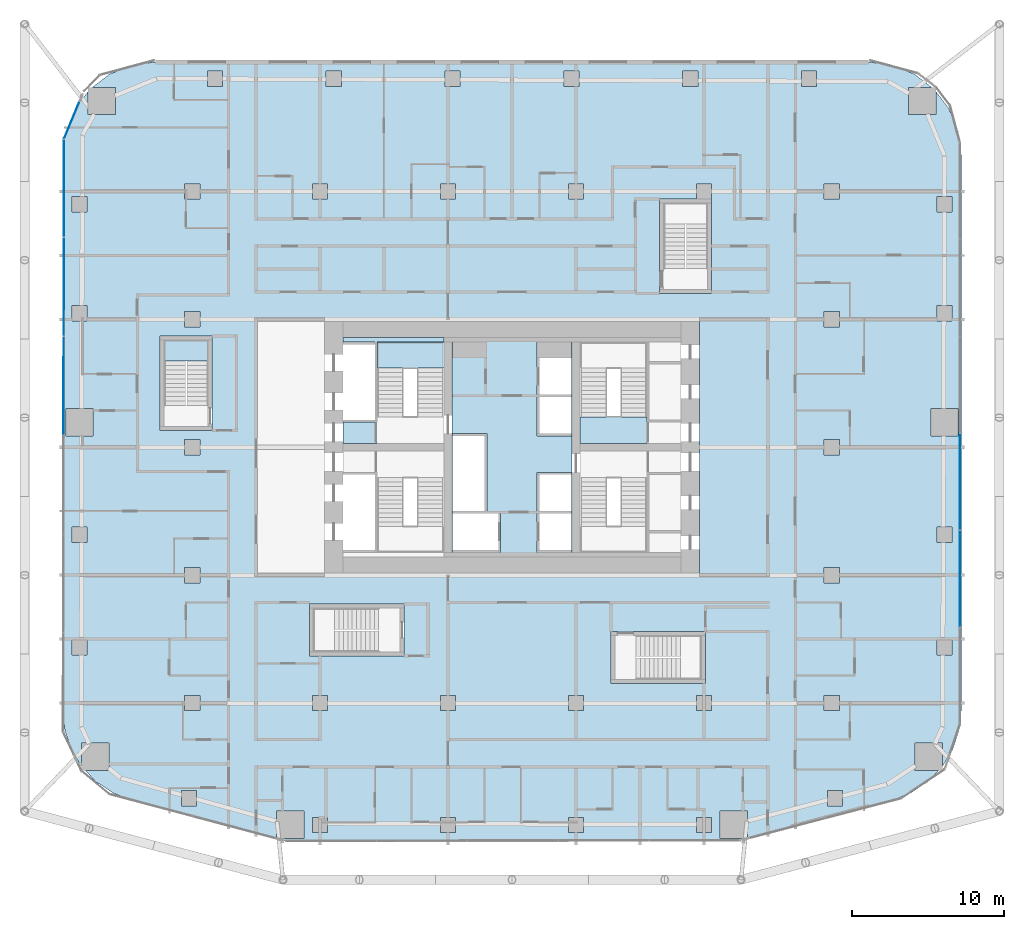
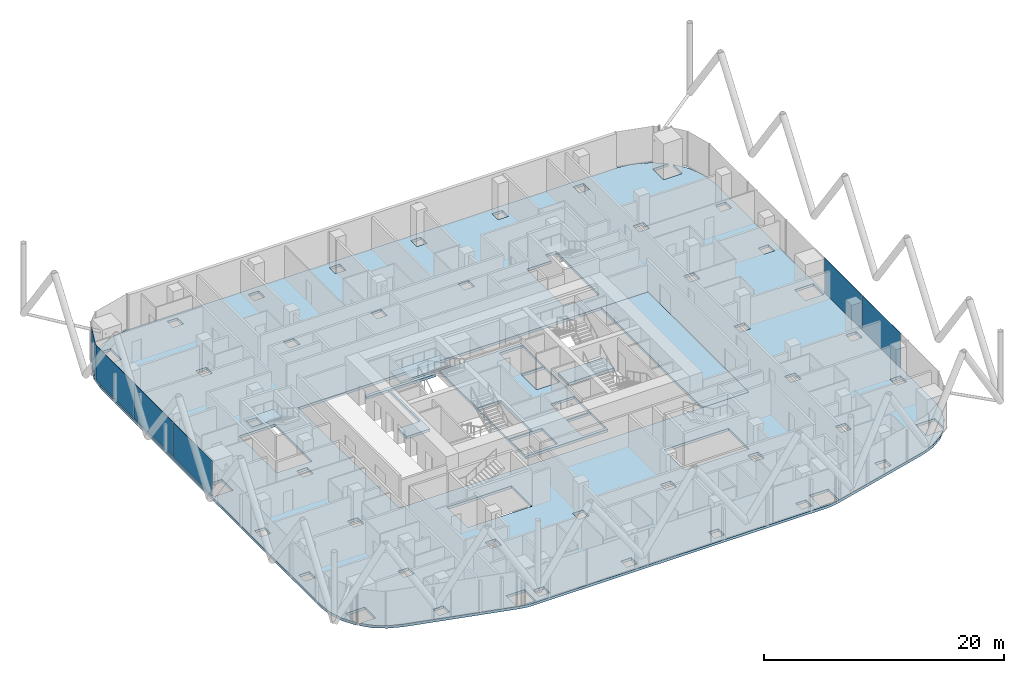
# One storey, part 21 of 34: 7 slabs, 6 plates, 5 elements without a shape of their own.
"""IFC4 building model written with IfcOpenShell, lengths in metres."""

from ifc_helpers import new_model, si_unit, direction, frame, origin, origin_2d, place, context, subcontext, project, spatial, polyline, rectangle, outline, extrude, material, layer, layer_set, type_object, element, aggregate, save


model = new_model("IFC4")

# Units and contexts
model_context = context("Model", 3, precision=1e-05, world=origin(), true_north=direction((0.0, 1.0)))
body_context = subcontext(model_context, "Body", "Model", "MODEL_VIEW")
ifc_project = project(units=[si_unit("LENGTHUNIT", "METRE"), si_unit("AREAUNIT", "SQUARE_METRE"), si_unit("VOLUMEUNIT", "CUBIC_METRE"), si_unit("PLANEANGLEUNIT", "RADIAN"), si_unit("MASSUNIT", "GRAM", prefix="KILO")], contexts=[model_context])

# Site, building, storey
site_placement = place(None, origin())
site = spatial("IfcSite", under=ifc_project, at=site_placement, CompositionType="ELEMENT")
building_placement = place(site_placement, origin())
building = spatial("IfcBuilding", under=site, at=building_placement, Name="Marenta Gate Hotel Tower", CompositionType="ELEMENT")
storey_placement = place(building_placement, frame((0.0, 0.0, 76.10009765625)))
storey = spatial("IfcBuildingStorey", under=building, at=storey_placement, Name="L17", CompositionType="ELEMENT", Elevation=76.10009765625)

# Slabs
ifc_material_1 = material(Name="Concrete C35", Category="concrete")
ifc_layer_1 = layer(ifc_material_1, 0.260009765625)
ifc_layer_set_1 = layer_set([ifc_layer_1], Name="Concrete C35")
slab_type_1 = type_object("IfcSlabType", Name="Concrete floor slab 260", PredefinedType="FLOOR", material=ifc_layer_set_1)
slab_1_placement = place(storey_placement, frame((0.0, 0.0, -0.260009765625)))
element("IfcSlab", 1, at=slab_1_placement, inside=storey, type_object=slab_type_1, Name="L17-SL-1", PredefinedType="FLOOR", context=body_context, shape_type="SweptSolid", body=[
    extrude(outline(polyline([(-27.313720703125, -13.56396484375), (-28.015625, -12.8330078125), (-26.462890625, -12.8330078125), (-26.462890625, -11.032958984375), (-28.262939453125, -11.032958984375), (-28.262939453125, -12.55859375), (-28.927001953125, -11.467041015625), (-29.35546875, -10.20703125), (-29.5, -8.889892578125), (-29.5, 27.6064453125), (-29.29296875, 29.178955078125), (-28.68359375, 30.650390625), (-27.83544921875, 31.755615234375), (-27.83544921875, 30.235595703125), (-26.035400390625, 30.235595703125), (-26.035400390625, 32.035400390625), (-27.555419921875, 32.035400390625), (-26.450439453125, 32.883544921875), (-24.97900390625, 33.492919921875), (-23.406494140625, 33.699951171875), (23.406494140625, 33.699951171875), (24.97900390625, 33.492919921875), (26.450439453125, 32.883544921875), (27.555419921875, 32.035400390625), (26.035400390625, 32.035400390625), (26.035400390625, 30.235595703125), (27.83544921875, 30.235595703125), (27.83544921875, 31.755615234375), (28.68359375, 30.650390625), (29.29296875, 29.178955078125), (29.5, 27.6064453125), (29.5, -8.889892578125), (29.35546875, -10.20703125), (28.927001953125, -11.467041015625), (28.262939453125, -12.55859375), (28.262939453125, -11.032958984375), (26.462890625, -11.032958984375), (26.462890625, -12.8330078125), (28.015625, -12.8330078125), (27.313720703125, -13.56396484375), (26.205810546875, -14.30126953125), (24.969482421875, -14.77880859375), (15.2265625, -17.36376953125), (14.70849609375, -17.4658203125), (14.181640625, -17.5), (-14.181640625, -17.5), (-14.70849609375, -17.4658203125), (-15.2265625, -17.36376953125), (-24.969482421875, -14.77880859375), (-26.205810546875, -14.30126953125), (-27.313720703125, -13.56396484375)]), holes=[polyline([(-16.800048828125, 0.0), (16.800048828125, 0.0), (16.800048828125, 16.800048828125), (-16.800048828125, 16.800048828125), (-16.800048828125, 0.0)]), polyline([(-13.666259765625, -15.474853515625), (-15.46630859375, -15.474853515625), (-15.46630859375, -17.27490234375), (-13.666259765625, -17.27490234375), (-13.666259765625, -15.474853515625)]), polyline([(-20.706787109375, -14.13916015625), (-21.706787109375, -14.13916015625), (-21.706787109375, -15.13916015625), (-20.706787109375, -15.13916015625), (-20.706787109375, -14.13916015625)]), polyline([(-20.5, -8.89990234375), (-20.5, -7.89990234375), (-21.5, -7.89990234375), (-21.5, -8.89990234375), (-20.5, -8.89990234375)]), polyline([(-12.10009765625, -8.89990234375), (-12.10009765625, -7.89990234375), (-13.10009765625, -7.89990234375), (-13.10009765625, -8.89990234375), (-12.10009765625, -8.89990234375)]), polyline([(-27.89990234375, -4.251953125), (-28.89990234375, -4.251953125), (-28.89990234375, -5.251953125), (-27.89990234375, -5.251953125), (-27.89990234375, -4.251953125)]), polyline([(-20.5, -0.5), (-20.5, 0.5), (-21.5, 0.5), (-21.5, -0.5), (-20.5, -0.5)]), polyline([(-27.89990234375, 2.149169921875), (-27.89990234375, 3.149169921875), (-28.89990234375, 3.149169921875), (-28.89990234375, 2.149169921875), (-27.89990234375, 2.149169921875)]), polyline([(-20.5, 8.89990234375), (-21.5, 8.89990234375), (-21.5, 7.89990234375), (-20.5, 7.89990234375), (-20.5, 8.89990234375)]), polyline([(-27.5, 9.14990234375), (-27.5, 10.949951171875), (-29.300048828125, 10.949951171875), (-29.300048828125, 9.14990234375), (-27.5, 9.14990234375)]), polyline([(-20.5, 16.300048828125), (-20.5, 17.300048828125), (-21.5, 17.300048828125), (-21.5, 16.300048828125), (-20.5, 16.300048828125)]), polyline([(-27.89990234375, 17.703125), (-28.89990234375, 17.703125), (-28.89990234375, 16.703125), (-27.89990234375, 16.703125), (-27.89990234375, 17.703125)]), polyline([(-27.89990234375, 23.8564453125), (-27.89990234375, 24.8564453125), (-28.89990234375, 24.8564453125), (-28.89990234375, 23.8564453125), (-27.89990234375, 23.8564453125)]), polyline([(-20.5, 24.699951171875), (-20.5, 25.699951171875), (-21.5, 25.699951171875), (-21.5, 24.699951171875), (-20.5, 24.699951171875)]), polyline([(-19.0068359375, 32.10009765625), (-19.0068359375, 33.10009765625), (-20.0068359375, 33.10009765625), (-20.0068359375, 32.10009765625), (-19.0068359375, 32.10009765625)]), polyline([(-12.10009765625, -16.89990234375), (-12.10009765625, -15.89990234375), (-13.10009765625, -15.89990234375), (-13.10009765625, -16.89990234375), (-12.10009765625, -16.89990234375)]), polyline([(-3.699951171875, -15.89990234375), (-4.699951171875, -15.89990234375), (-4.699951171875, -16.89990234375), (-3.699951171875, -16.89990234375), (-3.699951171875, -15.89990234375)]), polyline([(4.699951171875, -16.89990234375), (4.699951171875, -15.89990234375), (3.699951171875, -15.89990234375), (3.699951171875, -16.89990234375), (4.699951171875, -16.89990234375)]), polyline([(13.10009765625, -16.89990234375), (13.10009765625, -15.89990234375), (12.10009765625, -15.89990234375), (12.10009765625, -16.89990234375), (13.10009765625, -16.89990234375)]), polyline([(15.46630859375, -15.474853515625), (13.666259765625, -15.474853515625), (13.666259765625, -17.27490234375), (15.46630859375, -17.27490234375), (15.46630859375, -15.474853515625)]), polyline([(-3.699951171875, -8.89990234375), (-3.699951171875, -7.89990234375), (-4.699951171875, -7.89990234375), (-4.699951171875, -8.89990234375), (-3.699951171875, -8.89990234375)]), polyline([(4.699951171875, -8.89990234375), (4.699951171875, -7.89990234375), (3.699951171875, -7.89990234375), (3.699951171875, -8.89990234375), (4.699951171875, -8.89990234375)]), polyline([(13.10009765625, -7.89990234375), (12.10009765625, -7.89990234375), (12.10009765625, -8.89990234375), (13.10009765625, -8.89990234375), (13.10009765625, -7.89990234375)]), polyline([(-12.10009765625, 25.699951171875), (-13.10009765625, 25.699951171875), (-13.10009765625, 24.699951171875), (-12.10009765625, 24.699951171875), (-12.10009765625, 25.699951171875)]), polyline([(-3.699951171875, 25.699951171875), (-4.699951171875, 25.699951171875), (-4.699951171875, 24.699951171875), (-3.699951171875, 24.699951171875), (-3.699951171875, 25.699951171875)]), polyline([(4.699951171875, 24.699951171875), (4.699951171875, 25.699951171875), (3.699951171875, 25.699951171875), (3.699951171875, 24.699951171875), (4.699951171875, 24.699951171875)]), polyline([(13.10009765625, 25.699951171875), (12.10009765625, 25.699951171875), (12.10009765625, 24.699951171875), (9.699951171875, 24.699951171875), (9.699951171875, 18.5), (13.10009765625, 18.5), (13.10009765625, 25.699951171875)]), polyline([(-11.2041015625, 33.10009765625), (-12.2041015625, 33.10009765625), (-12.2041015625, 32.10009765625), (-11.2041015625, 32.10009765625), (-11.2041015625, 33.10009765625)]), polyline([(-3.4013671875, 32.10009765625), (-3.4013671875, 33.10009765625), (-4.4013671875, 33.10009765625), (-4.4013671875, 32.10009765625), (-3.4013671875, 32.10009765625)]), polyline([(4.4013671875, 32.10009765625), (4.4013671875, 33.10009765625), (3.4013671875, 33.10009765625), (3.4013671875, 32.10009765625), (4.4013671875, 32.10009765625)]), polyline([(12.2041015625, 33.10009765625), (11.2041015625, 33.10009765625), (11.2041015625, 32.10009765625), (12.2041015625, 32.10009765625), (12.2041015625, 33.10009765625)]), polyline([(21.706787109375, -15.13916015625), (21.706787109375, -14.13916015625), (20.706787109375, -14.13916015625), (20.706787109375, -15.13916015625), (21.706787109375, -15.13916015625)]), polyline([(21.5, -7.89990234375), (20.5, -7.89990234375), (20.5, -8.89990234375), (21.5, -8.89990234375), (21.5, -7.89990234375)]), polyline([(28.89990234375, -5.251953125), (28.89990234375, -4.251953125), (27.89990234375, -4.251953125), (27.89990234375, -5.251953125), (28.89990234375, -5.251953125)]), polyline([(21.5, -0.5), (21.5, 0.5), (20.5, 0.5), (20.5, -0.5), (21.5, -0.5)]), polyline([(28.89990234375, 3.149169921875), (27.89990234375, 3.149169921875), (27.89990234375, 2.149169921875), (28.89990234375, 2.149169921875), (28.89990234375, 3.149169921875)]), polyline([(21.5, 7.89990234375), (21.5, 8.89990234375), (20.5, 8.89990234375), (20.5, 7.89990234375), (21.5, 7.89990234375)]), polyline([(29.300048828125, 9.14990234375), (29.300048828125, 10.949951171875), (27.5, 10.949951171875), (27.5, 9.14990234375), (29.300048828125, 9.14990234375)]), polyline([(21.5, 17.300048828125), (20.5, 17.300048828125), (20.5, 16.300048828125), (21.5, 16.300048828125), (21.5, 17.300048828125)]), polyline([(28.89990234375, 16.703125), (28.89990234375, 17.703125), (27.89990234375, 17.703125), (27.89990234375, 16.703125), (28.89990234375, 16.703125)]), polyline([(28.89990234375, 23.8564453125), (28.89990234375, 24.8564453125), (27.89990234375, 24.8564453125), (27.89990234375, 23.8564453125), (28.89990234375, 23.8564453125)]), polyline([(21.5, 25.699951171875), (20.5, 25.699951171875), (20.5, 24.699951171875), (21.5, 24.699951171875), (21.5, 25.699951171875)]), polyline([(20.0068359375, 32.10009765625), (20.0068359375, 33.10009765625), (19.0068359375, 33.10009765625), (19.0068359375, 32.10009765625), (20.0068359375, 32.10009765625)]), polyline([(6.5, -7.10009765625), (12.699951171875, -7.10009765625), (12.699951171875, -3.699951171875), (6.5, -3.699951171875), (6.5, -7.10009765625)]), polyline([(-13.300048828125, -5.300048828125), (-7.10009765625, -5.300048828125), (-7.10009765625, -1.89990234375), (-13.300048828125, -1.89990234375), (-13.300048828125, -5.300048828125)]), polyline([(-23.10009765625, 9.5), (-19.699951171875, 9.5), (-19.699951171875, 15.699951171875), (-23.10009765625, 15.699951171875), (-23.10009765625, 9.5)])]), origin(), (0.0, 0.0, 1.0), 0.260009765625),
])
ifc_material_2 = material(Name="Concrete C40", Category="concrete")
ifc_layer_2 = layer(ifc_material_2, 0.260009765625)
ifc_layer_set_2 = layer_set([ifc_layer_2], Name="Concrete C40")
slab_type_2 = type_object("IfcSlabType", Name="Core floor slab 260", PredefinedType="FLOOR", material=ifc_layer_set_2)
slab_2_placement = place(storey_placement, frame((0.0, 0.0, -0.260009765625)))
element("IfcSlab", 2, at=slab_2_placement, inside=storey, type_object=slab_type_2, Name="L17-CF-1", PredefinedType="FLOOR", context=body_context, shape_type="SweptSolid", body=[
    extrude(outline(polyline([(12.300048828125, 0.0), (12.300048828125, 16.800048828125), (16.800048828125, 16.800048828125), (16.800048828125, 0.0), (12.300048828125, 0.0)])), origin(), (0.0, 0.0, 1.0), 0.260009765625),
])
slab_3_placement = place(storey_placement, frame((0.0, 0.0, -0.260009765625)))
element("IfcSlab", 3, at=slab_3_placement, inside=storey, type_object=slab_type_2, Name="L17-CF-4", PredefinedType="FLOOR", context=body_context, shape_type="SweptSolid", body=[
    extrude(outline(polyline([(3.949951171875, 15.300048828125), (3.949951171875, 10.39990234375), (3.949951171875, 6.39990234375), (3.949951171875, 1.5), (3.949951171875, 1.199951171875), (-3.949951171875, 1.199951171875), (-3.949951171875, 1.5), (-3.949951171875, 6.39990234375), (-3.949951171875, 10.39990234375), (-3.949951171875, 15.300048828125), (-3.949951171875, 15.60009765625), (3.949951171875, 15.60009765625), (3.949951171875, 15.300048828125)]), holes=[polyline([(1.64990234375, 4.050048828125), (1.64990234375, 1.64990234375), (1.64990234375, 1.5), (3.89990234375, 1.5), (3.89990234375, 1.64990234375), (3.89990234375, 4.050048828125), (1.800048828125, 4.050048828125), (1.64990234375, 4.050048828125)]), polyline([(1.64990234375, 9.14990234375), (3.89990234375, 9.14990234375), (3.89990234375, 9.300048828125), (3.89990234375, 11.699951171875), (1.800048828125, 11.699951171875), (1.64990234375, 11.699951171875), (1.64990234375, 9.300048828125), (1.64990234375, 9.14990234375)]), polyline([(1.64990234375, 11.85009765625), (1.800048828125, 11.85009765625), (3.89990234375, 11.85009765625), (3.89990234375, 14.25), (3.89990234375, 15.300048828125), (1.64990234375, 15.300048828125), (1.64990234375, 14.25), (1.64990234375, 11.85009765625)]), polyline([(3.89990234375, 6.60009765625), (3.89990234375, 6.75), (1.64990234375, 6.75), (1.64990234375, 6.60009765625), (1.64990234375, 4.199951171875), (1.800048828125, 4.199951171875), (3.89990234375, 4.199951171875), (3.89990234375, 6.60009765625)]), polyline([(-3.89990234375, 1.5), (-0.89990234375, 1.5), (-0.75, 1.5), (-0.75, 4.050048828125), (-0.89990234375, 4.050048828125), (-3.89990234375, 4.050048828125), (-3.89990234375, 1.64990234375), (-3.89990234375, 1.5)]), polyline([(-1.64990234375, 4.199951171875), (-1.64990234375, 9.14990234375), (-1.64990234375, 9.300048828125), (-3.89990234375, 9.300048828125), (-3.89990234375, 9.14990234375), (-3.89990234375, 6.75), (-3.89990234375, 6.60009765625), (-3.89990234375, 4.199951171875), (-1.800048828125, 4.199951171875), (-1.64990234375, 4.199951171875)])]), origin(), (0.0, 0.0, 1.0), 0.260009765625),
])
slab_4_placement = place(storey_placement, frame((0.0, 0.0, -0.260009765625)))
element("IfcSlab", 4, at=slab_4_placement, inside=storey, type_object=slab_type_2, Name="L17-CF-6", PredefinedType="FLOOR", context=body_context, shape_type="SweptSolid", body=[
    extrude(outline(polyline([(-4.449951171875, 15.300048828125), (-8.85009765625, 15.300048828125), (-8.85009765625, 10.39990234375), (-8.85009765625, 8.699951171875), (-8.85009765625, 8.64990234375), (-11.10009765625, 8.64990234375), (-11.10009765625, 10.050048828125), (-9.0, 10.050048828125), (-9.0, 10.199951171875), (-9.0, 12.60009765625), (-9.0, 12.75), (-9.0, 15.14990234375), (-9.0, 15.300048828125), (-11.10009765625, 15.300048828125), (-11.10009765625, 15.60009765625), (-4.449951171875, 15.60009765625), (-4.449951171875, 15.300048828125)])), origin(), (0.0, 0.0, 1.0), 0.260009765625),
])

# Stair, slab
ifc_material_3 = material(Name="Concrete C40", Category="concrete")
stair_type_1 = type_object("IfcStairType", Name="Core exit stair 1700 wide", PredefinedType="HALF_TURN_STAIR", material=ifc_material_3)
stair_1_placement = place(storey_placement, origin())
stair_1 = element("IfcStair", 5, at=stair_1_placement, inside=storey, type_object=stair_type_1, Name="Exit stair 2", PredefinedType="HALF_TURN_STAIR")
ifc_material_4 = material(Name="Concrete C40", Category="concrete")
ifc_layer_3 = layer(ifc_material_4, 0.199951171875)
ifc_layer_set_3 = layer_set([ifc_layer_3], Name="Concrete C40")
slab_type_3 = type_object("IfcSlabType", Name="Core stair landing 200", PredefinedType="LANDING", material=ifc_layer_set_3)
slab_5_placement = place(storey_placement, frame((0.0, 0.0, 1.599853515625)))
slab_5 = element("IfcSlab", 6, at=slab_5_placement, type_object=slab_type_3, Name="SL-200 ST2 landing 1", PredefinedType="LANDING", context=body_context, shape_type="SweptSolid", body=[
    extrude(outline(polyline([(-8.85009765625, 13.590087890625), (-3.949951171875, 13.590087890625), (-3.949951171875, 15.300048828125), (-8.85009765625, 15.300048828125), (-8.85009765625, 13.590087890625)])), origin(), (0.0, 0.0, 1.0), 0.199951171875),
])
aggregate(stair_1, [slab_5])

# Curtain wall, plate
ifc_material_5 = material(Name="Tinted insulated glass in bronze anodised frame", Category="glass")
ifc_layer_4 = layer(ifc_material_5, 0.1201171875)
ifc_layer_set_4 = layer_set([ifc_layer_4], Name="Tinted insulated glass in bronze anodised frame")
curtain_wall_type = type_object("IfcCurtainWallType", Name="Tower unitised curtain wall CW1", PredefinedType="NOTDEFINED", material=ifc_layer_set_4)
curtain_wall_1_placement = place(storey_placement, origin())
curtain_wall_1 = element("IfcCurtainWall", 7, at=curtain_wall_1_placement, inside=storey, type_object=curtain_wall_type, Name="CW1 run G03", PredefinedType="NOTDEFINED")
ifc_material_6 = material(Name="Tinted insulated glass", Category="glass")
ifc_layer_5 = layer(ifc_material_6, 0.028076171875)
ifc_layer_set_5 = layer_set([ifc_layer_5], Name="Tinted insulated glass")
plate_type = type_object("IfcPlateType", Name="Glass panel CW1 28 mm tinted insulated unit", PredefinedType="CURTAIN_PANEL", material=ifc_layer_set_5)
plate_1_placement = place(storey_placement, frame((-28.91064453125, 29.87744140625, 0.059814453125), z_axis=(0.0, 0.0, 1.0), x_axis=(-0.382676683393, -0.923882327998, 0.0)))
plate_1 = element("IfcPlate", 8, at=plate_1_placement, type_object=plate_type, Name="CW1 panel 1.1", PredefinedType="CURTAIN_PANEL", context=body_context, shape_type="SweptSolid", body=[
    extrude(rectangle(XDim=2.622314453125, YDim=0.028076171875, at=origin_2d()), origin(), (0.0, 0.0, 1.0), 3.5400390625),
])
aggregate(curtain_wall_1, [plate_1])

# Curtain wall, plates
curtain_wall_2_placement = place(storey_placement, origin())
curtain_wall_2 = element("IfcCurtainWall", 9, at=curtain_wall_2_placement, inside=storey, type_object=curtain_wall_type, Name="CW1 run G04", PredefinedType="NOTDEFINED")
plate_2_placement = place(storey_placement, frame((-29.41748046875, 25.406005859375, 0.059814453125), z_axis=(0.0, 0.0, 1.0), x_axis=(-0.00156642217, -0.99999877316, 0.0)))
plate_2 = element("IfcPlate", 10, at=plate_2_placement, type_object=plate_type, Name="CW1 panel 1.1", PredefinedType="CURTAIN_PANEL", context=body_context, shape_type="SweptSolid", body=[
    extrude(rectangle(XDim=6.400390625, YDim=0.028076171875, at=origin_2d()), origin(), (0.0, 0.0, 1.0), 3.5400390625),
])
plate_3_placement = place(storey_placement, frame((-29.427490234375, 18.9306640625, 0.059814453125), z_axis=(0.0, 0.0, 1.0), x_axis=(-0.00156642217, -0.99999877316, 0.0)))
plate_3 = element("IfcPlate", 11, at=plate_3_placement, type_object=plate_type, Name="CW1 panel 2.1", PredefinedType="CURTAIN_PANEL", context=body_context, shape_type="SweptSolid", body=[
    extrude(rectangle(XDim=6.430419921875, YDim=0.028076171875, at=origin_2d()), origin(), (0.0, 0.0, 1.0), 3.5400390625),
])
plate_4_placement = place(storey_placement, frame((-29.437744140625, 12.440185546875, 0.059814453125), z_axis=(0.0, 0.0, 1.0), x_axis=(-0.00156642217, -0.99999877316, 0.0)))
plate_4 = element("IfcPlate", 12, at=plate_4_placement, type_object=plate_type, Name="CW1 panel 3.1", PredefinedType="CURTAIN_PANEL", context=body_context, shape_type="SweptSolid", body=[
    extrude(rectangle(XDim=6.430419921875, YDim=0.028076171875, at=origin_2d()), origin(), (0.0, 0.0, 1.0), 3.5400390625),
])
aggregate(curtain_wall_2, [plate_2, plate_3, plate_4])

curtain_wall_3_placement = place(storey_placement, origin())
curtain_wall_3 = element("IfcCurtainWall", 13, at=curtain_wall_3_placement, inside=storey, type_object=curtain_wall_type, Name="CW1 run G18", PredefinedType="NOTDEFINED")
plate_5_placement = place(storey_placement, frame((29.4140625, -0.22802734375, 0.059814453125), z_axis=(0.0, 0.0, 1.0), x_axis=(0.0, 1.0, 0.0)))
plate_5 = element("IfcPlate", 14, at=plate_5_placement, type_object=plate_type, Name="CW1 panel 2.1", PredefinedType="CURTAIN_PANEL", context=body_context, shape_type="SweptSolid", body=[
    extrude(rectangle(XDim=6.300048828125, YDim=0.028076171875, at=origin_2d()), origin(), (0.0, 0.0, 1.0), 3.5400390625),
])
plate_6_placement = place(storey_placement, frame((29.4140625, 6.132080078125, 0.059814453125), z_axis=(0.0, 0.0, 1.0), x_axis=(0.0, 1.0, 0.0)))
plate_6 = element("IfcPlate", 15, at=plate_6_placement, type_object=plate_type, Name="CW1 panel 3.1", PredefinedType="CURTAIN_PANEL", context=body_context, shape_type="SweptSolid", body=[
    extrude(rectangle(XDim=6.300048828125, YDim=0.028076171875, at=origin_2d()), origin(), (0.0, 0.0, 1.0), 3.5400390625),
])
aggregate(curtain_wall_3, [plate_5, plate_6])

# Stair, slab
ifc_material_7 = material(Name="Concrete C40", Category="concrete")
stair_type_2 = type_object("IfcStairType", Name="Remote exit stair 1400 wide", PredefinedType="HALF_TURN_STAIR", material=ifc_material_7)
stair_2_placement = place(storey_placement, origin())
stair_2 = element("IfcStair", 16, at=stair_2_placement, inside=storey, type_object=stair_type_2, Name="Exit stair RS-Z1-3", PredefinedType="HALF_TURN_STAIR")
ifc_material_8 = material(Name="Concrete C40", Category="concrete")
ifc_layer_6 = layer(ifc_material_8, 0.199951171875)
ifc_layer_set_6 = layer_set([ifc_layer_6], Name="Concrete C40")
slab_type_4 = type_object("IfcSlabType", Name="Remote stair landing 200", PredefinedType="LANDING", material=ifc_layer_set_6)
slab_6_placement = place(storey_placement, frame((0.0, 0.0, 1.599853515625)))
slab_6 = element("IfcSlab", 17, at=slab_6_placement, type_object=slab_type_4, Name="RL-200 RS-Z1-3 landing 1", PredefinedType="LANDING", context=body_context, shape_type="SweptSolid", body=[
    extrude(outline(polyline([(-22.85009765625, 14.050048828125), (-19.949951171875, 14.050048828125), (-19.949951171875, 15.449951171875), (-22.85009765625, 15.449951171875), (-22.85009765625, 14.050048828125)])), origin(), (0.0, 0.0, 1.0), 0.199951171875),
])
aggregate(stair_2, [slab_6])

# Slab
ifc_material_9 = material(Name="Concrete C40", Category="concrete")
ifc_layer_7 = layer(ifc_material_9, 0.300048828125)
ifc_layer_set_7 = layer_set([ifc_layer_7], Name="Concrete C40")
slab_type_5 = type_object("IfcSlabType", Name="Stair floor landing slab 300", PredefinedType="FLOOR", material=ifc_layer_set_7)
slab_7_placement = place(storey_placement, frame((0.0, 0.0, -0.300048828125)))
element("IfcSlab", 18, at=slab_7_placement, inside=storey, type_object=slab_type_5, Name="L17-CL-ST4-1", PredefinedType="FLOOR", context=body_context, shape_type="SweptSolid", body=[
    extrude(outline(polyline([(4.449951171875, 8.64990234375), (4.449951171875, 10.39990234375), (8.85009765625, 10.39990234375), (8.85009765625, 8.699951171875), (8.85009765625, 8.64990234375), (4.449951171875, 8.64990234375)])), origin(), (0.0, 0.0, 1.0), 0.300048828125),
])

save(model, "model.ifc")
